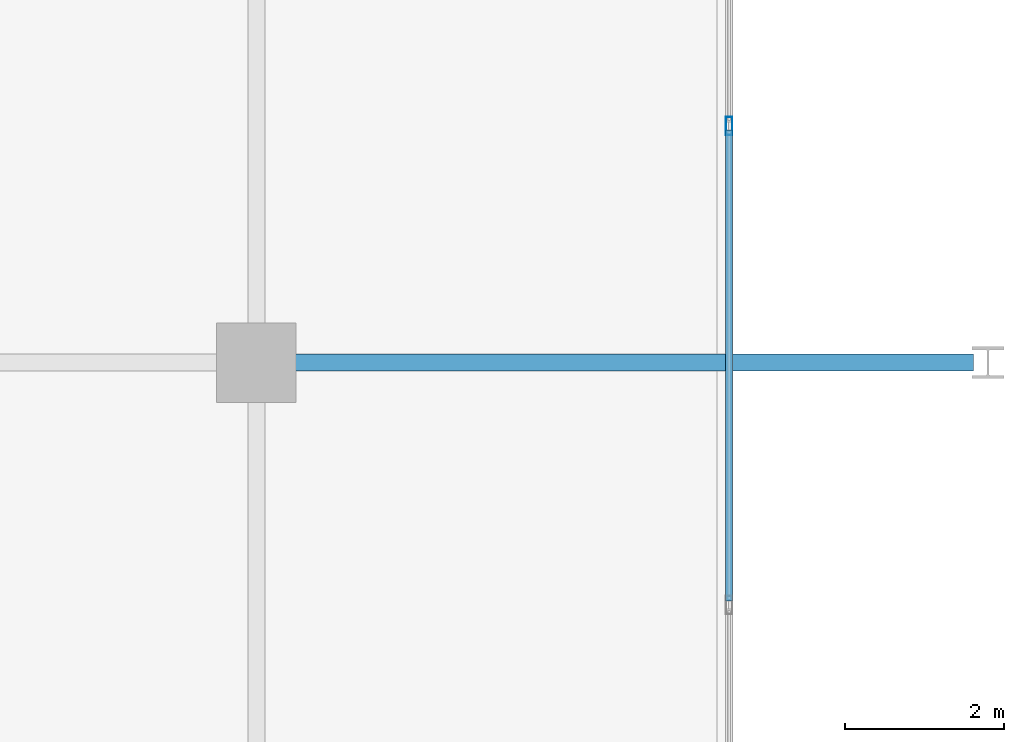
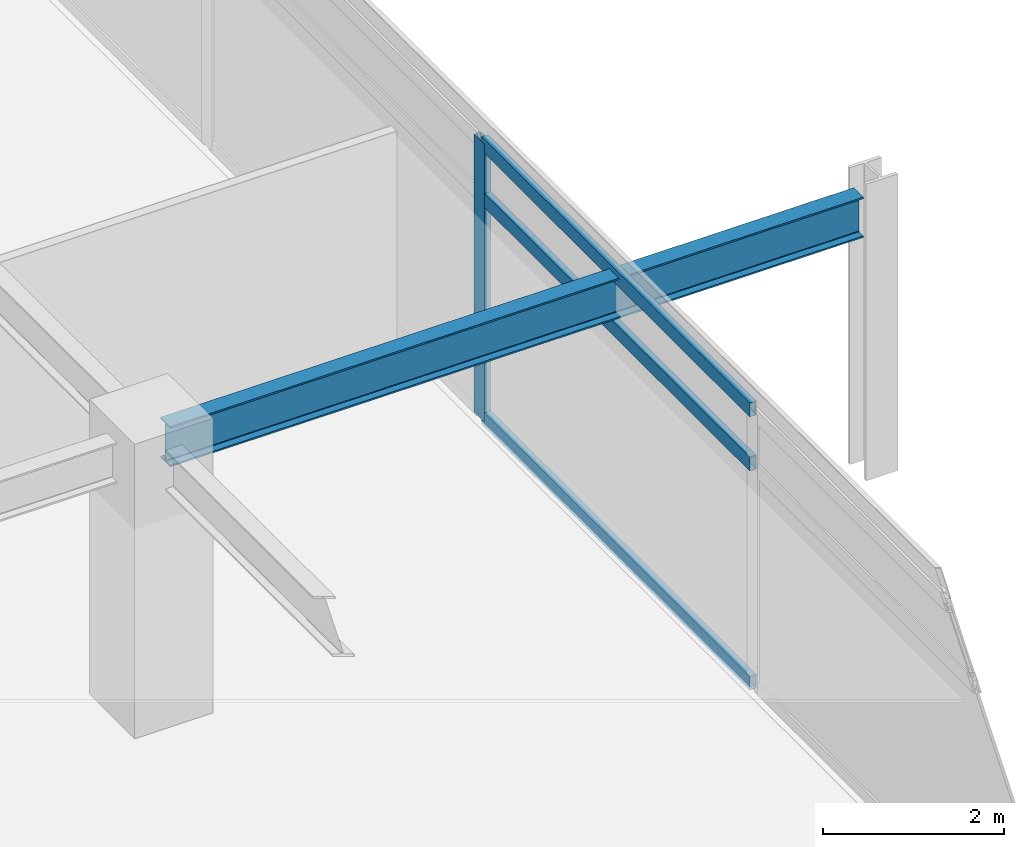
# One storey, part 7 of 20: 4 members, 1 beam, 1 element without a shape of its own.
"""IFC4 building model written with IfcOpenShell, lengths in metres."""

import ifcopenshell
import ifcopenshell.guid

model = None  # the IFC model being written
_history = None  # IfcOwnerHistory: only IFC2X3 demands one
_inside = {}  # id of a spatial element -> (the spatial element, [elements in it])
_under = {}  # id of a project, library or spatial element -> (it, [spatial elements below it])
_declared = {}  # id of a project -> (the project, [libraries it declares])
_typed = {}  # id of a type object -> (the type object, [elements of that type])
_made_of = {}  # id of a material, layer set ... -> (it, [elements and type objects made of it])


def new_model(schema):
    """Start an empty IFC model of exactly this schema.

    Asked for "IFC4X3", IfcOpenShell would pick the latest addendum, in which some entities
    have other attributes; the version numbers below select the first issue.
    IFC2X3 requires an IfcOwnerHistory on every rooted entity: one is made here for all.
    """
    global model, _history
    if schema == "IFC4X3":
        model = ifcopenshell.file(schema_version=(4, 3, 0, 0))
    else:
        model = ifcopenshell.file(schema=schema)
    _inside.clear()
    _under.clear()
    _declared.clear()
    _typed.clear()
    _made_of.clear()
    _history = None
    if model.schema == "IFC2X3":
        org = make("IfcOrganization", Name="unknown")
        user = make(
            "IfcPersonAndOrganization",
            ThePerson=make("IfcPerson", FamilyName="unknown"),
            TheOrganization=org,
        )
        app = make(
            "IfcApplication",
            ApplicationDeveloper=org,
            Version="unknown",
            ApplicationFullName="unknown",
            ApplicationIdentifier="unknown",
        )
        _history = make(
            "IfcOwnerHistory",
            OwningUser=user,
            OwningApplication=app,
            ChangeAction="ADDED",
            CreationDate=0,
        )
    return model


def make(cls, **values):
    """One entity of the class cls with the attributes given. An attribute that is None is left unset."""
    return model.create_entity(
        cls, **{name: value for name, value in values.items() if value is not None}
    )


def rooted(cls, **values):
    """An entity with a GlobalId (a new one), such as an element, a storey or a relation."""
    return make(cls, GlobalId=ifcopenshell.guid.new(), OwnerHistory=_history, **values)


def si_unit(unit_type, name, prefix=None):
    """IfcSIUnit, for example si_unit("LENGTHUNIT", "METRE", prefix="MILLI")."""
    return make("IfcSIUnit", UnitType=unit_type, Prefix=prefix, Name=name)


def assignment(units):
    """IfcUnitAssignment: the units of a project."""
    return None if units is None else make("IfcUnitAssignment", Units=units)


def point(xyz):
    """IfcCartesianPoint."""
    return None if xyz is None else make("IfcCartesianPoint", Coordinates=xyz)


def direction(xyz):
    """IfcDirection."""
    return None if xyz is None else make("IfcDirection", DirectionRatios=xyz)


def frame(location, z_axis=None, x_axis=None):
    """IfcAxis2Placement3D, a coordinate frame: its origin and axes. An axis left out is left unset."""
    return make(
        "IfcAxis2Placement3D",
        Location=point(location),
        Axis=direction(z_axis),
        RefDirection=direction(x_axis),
    )


def frame_2d(location, x_axis=None):
    """IfcAxis2Placement2D, a coordinate frame in the plane: its origin and x axis."""
    return make(
        "IfcAxis2Placement2D", Location=point(location), RefDirection=direction(x_axis)
    )


def origin():
    """The frame at (0, 0, 0) with its axes left unset."""
    return frame((0.0, 0.0, 0.0))


def origin_2d():
    """The frame at (0, 0) in the plane with its x axis left unset."""
    return frame_2d((0.0, 0.0))


def place(relative_to, where):
    """IfcLocalPlacement: puts the frame where relative to a parent placement (None: the world)."""
    return make(
        "IfcLocalPlacement", PlacementRelTo=relative_to, RelativePlacement=where
    )


def context(
    kind, dimensions, precision=None, world=None, true_north=None, identifier=None
):
    """IfcGeometricRepresentationContext, for example the 3D "Model" context."""
    return make(
        "IfcGeometricRepresentationContext",
        ContextIdentifier=identifier,
        ContextType=kind,
        CoordinateSpaceDimension=dimensions,
        Precision=precision,
        WorldCoordinateSystem=world,
        TrueNorth=true_north,
    )


def subcontext(parent, identifier, kind, view, scale=None):
    """IfcGeometricRepresentationSubContext, for example "Body" below "Model"."""
    return make(
        "IfcGeometricRepresentationSubContext",
        ContextIdentifier=identifier,
        ContextType=kind,
        ParentContext=parent,
        TargetScale=scale,
        TargetView=view,
    )


def project(units=None, contexts=None):
    """IfcProject with its units and contexts."""
    return rooted(
        "IfcProject",
        Name="project",
        RepresentationContexts=contexts,
        UnitsInContext=assignment(units),
    )


def spatial(cls, under=None, at=None, **own):
    """A site, building, storey or space (cls), placed at a placement, below another one or the project."""
    s = rooted(cls, ObjectPlacement=at, **own)
    if under is not None:
        _under.setdefault(under.id(), (under, []))[1].append(s)
    return s


def profile(cls, at=None, kind="AREA", **sizes):
    """A parametric profile (cls). Its sizes go by their IFC names, for example OverallWidth=200.0."""
    return make(cls, ProfileType=kind, Position=at, **sizes)


def hollow_rectangle(**sizes):
    """IfcRectangleHollowProfileDef."""
    return profile("IfcRectangleHollowProfileDef", **sizes)


def i_section(**sizes):
    """IfcIShapeProfileDef."""
    return profile("IfcIShapeProfileDef", **sizes)


def extrude(swept, where, along, depth):
    """IfcExtrudedAreaSolid: the profile swept, set in the frame where, extruded along a direction by depth."""
    return make(
        "IfcExtrudedAreaSolid",
        SweptArea=swept,
        Position=where,
        ExtrudedDirection=direction(along),
        Depth=depth,
    )


def shape(context_of_items, identifier, shape_type, items):
    """IfcShapeRepresentation: the items that make up one representation, for example the "Body"."""
    return make(
        "IfcShapeRepresentation",
        ContextOfItems=context_of_items,
        RepresentationIdentifier=identifier,
        RepresentationType=shape_type,
        Items=items,
    )


def material(Name=None, Category=None):
    """IfcMaterial."""
    return make("IfcMaterial", Name=Name, Category=Category)


def material_profile(
    of_material, cross_section, Name=None, Category=None, Priority=None
):
    """IfcMaterialProfile: a cross section and its material."""
    return make(
        "IfcMaterialProfile",
        Name=Name,
        Material=of_material,
        Profile=cross_section,
        Priority=Priority,
        Category=Category,
    )


def profile_set(profiles, Name=None, composite=None):
    """IfcMaterialProfileSet."""
    return make(
        "IfcMaterialProfileSet",
        Name=Name,
        MaterialProfiles=profiles,
        CompositeProfile=composite,
    )


def made_of(thing, what):
    """Note that an element or type object is made of a material, layer set ...; save() writes the relation."""
    if what is not None:
        _made_of.setdefault(what.id(), (what, []))[1].append(thing)
    return thing


def type_object(cls, material=None, **own):
    """A type object (cls), such as IfcWallType, which elements share."""
    return made_of(rooted(cls, **own), material)


def element(
    cls,
    number,
    at=None,
    inside=None,
    cuts=None,
    type_object=None,
    material=None,
    context=None,
    identifier="Body",
    shape_type=None,
    held_by="IfcProductDefinitionShape",
    body=None,
    shapes=None,
    **own,
):
    """One element of the class cls, such as IfcWall. Its Tag is "e" and its number.

    at: its placement. inside: the storey or other place that contains it. cuts: it is an
    opening in that element (IfcRelVoidsElement). A single representation is given by context,
    identifier, shape_type and body (its items); several are given by shapes. held_by: the class
    of the entity that holds the representations. save() writes the other relations.
    """
    e = rooted(cls, Tag="e%d" % number, ObjectPlacement=at, **own)
    if body is not None:
        shapes = [shape(context, identifier, shape_type, body)]
    if shapes is not None:
        e.Representation = make(held_by, Representations=shapes)
    if inside is not None:
        _inside.setdefault(inside.id(), (inside, []))[1].append(e)
    if cuts is not None:
        rooted(
            "IfcRelVoidsElement", RelatingBuildingElement=cuts, RelatedOpeningElement=e
        )
    if type_object is not None:
        _typed.setdefault(type_object.id(), (type_object, []))[1].append(e)
    return made_of(e, material)


def aggregate(whole, parts):
    """IfcRelAggregates: a whole, such as a stair, and the parts it consists of."""
    return rooted("IfcRelAggregates", RelatingObject=whole, RelatedObjects=parts)


def save(model, path):
    """Write the relations noted so far, then the file.

    IfcRelAggregates (storeys below a building ...), IfcRelContainedInSpatialStructure (elements
    in a storey), IfcRelDefinesByType, IfcRelAssociatesMaterial and IfcRelDeclares: one each for
    every whole, place, type object, material and project.
    """
    for whole, parts in _under.values():
        aggregate(whole, parts)
    for where, things in _inside.values():
        rooted(
            "IfcRelContainedInSpatialStructure",
            RelatedElements=things,
            RelatingStructure=where,
        )
    for kind, things in _typed.values():
        rooted("IfcRelDefinesByType", RelatedObjects=things, RelatingType=kind)
    for what, things in _made_of.values():
        rooted("IfcRelAssociatesMaterial", RelatedObjects=things, RelatingMaterial=what)
    for by, libraries in _declared.values():
        rooted("IfcRelDeclares", RelatingContext=by, RelatedDefinitions=libraries)
    model.write(path)


model = new_model("IFC4")

# Units and contexts
model_context = context("Model", 3, precision=1e-05, world=origin(), true_north=direction((0.0, 1.0)))
body_context = subcontext(model_context, "Body", "Model", "MODEL_VIEW")
ifc_project = project(units=[si_unit("LENGTHUNIT", "METRE"), si_unit("AREAUNIT", "SQUARE_METRE"), si_unit("VOLUMEUNIT", "CUBIC_METRE"), si_unit("PLANEANGLEUNIT", "RADIAN"), si_unit("MASSUNIT", "GRAM", prefix="KILO")], contexts=[model_context])

# Site, building, storey
site_placement = place(None, origin())
site = spatial("IfcSite", under=ifc_project, at=site_placement, CompositionType="ELEMENT")
building_placement = place(site_placement, origin())
building = spatial("IfcBuilding", under=site, at=building_placement, Name="Kovane Verandah Tower", CompositionType="ELEMENT")
storey_placement = place(building_placement, frame((0.0, 0.0, 334.800048828125)))
storey = spatial("IfcBuildingStorey", under=building, at=storey_placement, Name="L78", CompositionType="ELEMENT", Elevation=334.800048828125)

# Beam
ifc_material_1 = material(Name="Steel S355", Category="steel")
ifc_material_profile_1 = material_profile(ifc_material_1, i_section(OverallWidth=0.2119140625, OverallDepth=0.54443359375, WebThickness=0.0126953125, FlangeThickness=0.021240234375, FilletRadius=0.0126953125, at=origin_2d()), Name="UB533x210x122")
ifc_profile_set_1 = profile_set([ifc_material_profile_1], Name="Steel S355")
beam_type = type_object("IfcBeamType", Name="BM-UB533x122", PredefinedType="BEAM", material=ifc_profile_set_1)
beam_placement = place(storey_placement, frame((58.580078125, 18.5, 3.48779296875), z_axis=(1.0, 0.0, 0.0), x_axis=(0.0, 1.0, 0.0)))
element("IfcBeam", 1, at=beam_placement, inside=storey, type_object=beam_type, Name="L78 Primary Tower Girder G-VE1", PredefinedType="BEAM", context=body_context, shape_type="SweptSolid", body=[
    extrude(i_section(OverallWidth=0.2119140625, OverallDepth=0.54443359375, WebThickness=0.0126953125, FlangeThickness=0.021240234375, FilletRadius=0.0126953125, at=origin_2d()), origin(), (0.0, 0.0, 1.0), 8.83984375),
])

# Curtain wall, members
ifc_material_2 = material(Name="Champagne Anodised Aluminium Frame with Low-E Clear Laminated Glass", Category="aluminium")
curtain_wall_type = type_object("IfcCurtainWallType", Name="CW-SYS-05-HIGH", PredefinedType="NOTDEFINED", material=ifc_material_2)
curtain_wall_placement = place(storey_placement, origin())
curtain_wall = element("IfcCurtainWall", 2, at=curtain_wall_placement, inside=storey, type_object=curtain_wall_type, Name="L78 E Unitised Curtain Wall", PredefinedType="NOTDEFINED")
ifc_material_3 = material(Name="Champagne Anodised Aluminium 6063-T6", Category="aluminium")
ifc_material_profile_2 = material_profile(ifc_material_3, hollow_rectangle(XDim=0.0849609375, YDim=0.22998046875, WallThickness=0.00390625, at=origin_2d()), Name="AL85x230x4")
ifc_profile_set_2 = profile_set([ifc_material_profile_2], Name="Champagne Anodised Aluminium 6063-T6")
member_type_1 = type_object("IfcMemberType", Name="CW-MUL-85x230", PredefinedType="MULLION", material=ifc_profile_set_2)
member_1_placement = place(storey_placement, frame((64.344482421875, 21.475830078125, 0.02001953125), z_axis=(0.0, 0.0, 1.0), x_axis=(1.0, 0.0, 0.0)))
member_1 = element("IfcMember", 3, at=member_1_placement, type_object=member_type_1, Name="L78 E Unitised Curtain Wall Mullion 3", PredefinedType="MULLION", context=body_context, shape_type="SweptSolid", body=[
    extrude(hollow_rectangle(XDim=0.0849609375, YDim=0.22998046875, WallThickness=0.00390625, at=origin_2d()), origin(), (0.0, 0.0, 1.0), 3.744873046875),
])
ifc_material_profile_3 = material_profile(ifc_material_3, hollow_rectangle(XDim=0.0849609375, YDim=0.18994140625, WallThickness=0.00390625, at=origin_2d()), Name="AL85x190x4")
ifc_profile_set_3 = profile_set([ifc_material_profile_3], Name="Champagne Anodised Aluminium 6063-T6")
member_type_2 = type_object("IfcMemberType", Name="CW-TRN-85x190", PredefinedType="USERDEFINED", material=ifc_profile_set_3)
member_2_placement = place(storey_placement, frame((64.344482421875, 15.501953125, 0.050048828125), z_axis=(0.0, 1.0, 0.0), x_axis=(-1.0, 0.0, 0.0)))
member_2 = element("IfcMember", 4, at=member_2_placement, type_object=member_type_2, Name="L78 E Unitised Curtain Wall Transom TB Bay 2", ObjectType="TRANSOM", PredefinedType="USERDEFINED", context=body_context, shape_type="SweptSolid", body=[
    extrude(hollow_rectangle(XDim=0.0849609375, YDim=0.18994140625, WallThickness=0.00390625, at=origin_2d()), origin(), (0.0, 0.0, 1.0), 5.923828125),
])
member_3_placement = place(storey_placement, frame((64.344482421875, 15.501953125, 3.0048828125), z_axis=(0.0, 1.0, 0.0), x_axis=(-1.0, 0.0, 0.0)))
member_3 = element("IfcMember", 5, at=member_3_placement, type_object=member_type_2, Name="L78 E Unitised Curtain Wall Transom TM Bay 2", ObjectType="TRANSOM", PredefinedType="USERDEFINED", context=body_context, shape_type="SweptSolid", body=[
    extrude(hollow_rectangle(XDim=0.0849609375, YDim=0.18994140625, WallThickness=0.00390625, at=origin_2d()), origin(), (0.0, 0.0, 1.0), 5.923828125),
])
member_4_placement = place(storey_placement, frame((64.344482421875, 15.501953125, 3.73486328125), z_axis=(0.0, 1.0, 0.0), x_axis=(-1.0, 0.0, 0.0)))
member_4 = element("IfcMember", 6, at=member_4_placement, type_object=member_type_2, Name="L78 E Unitised Curtain Wall Transom TT Bay 2", ObjectType="TRANSOM", PredefinedType="USERDEFINED", context=body_context, shape_type="SweptSolid", body=[
    extrude(hollow_rectangle(XDim=0.0849609375, YDim=0.18994140625, WallThickness=0.00390625, at=origin_2d()), origin(), (0.0, 0.0, 1.0), 5.923828125),
])
aggregate(curtain_wall, [member_1, member_2, member_3, member_4])

save(model, "model.ifc")
